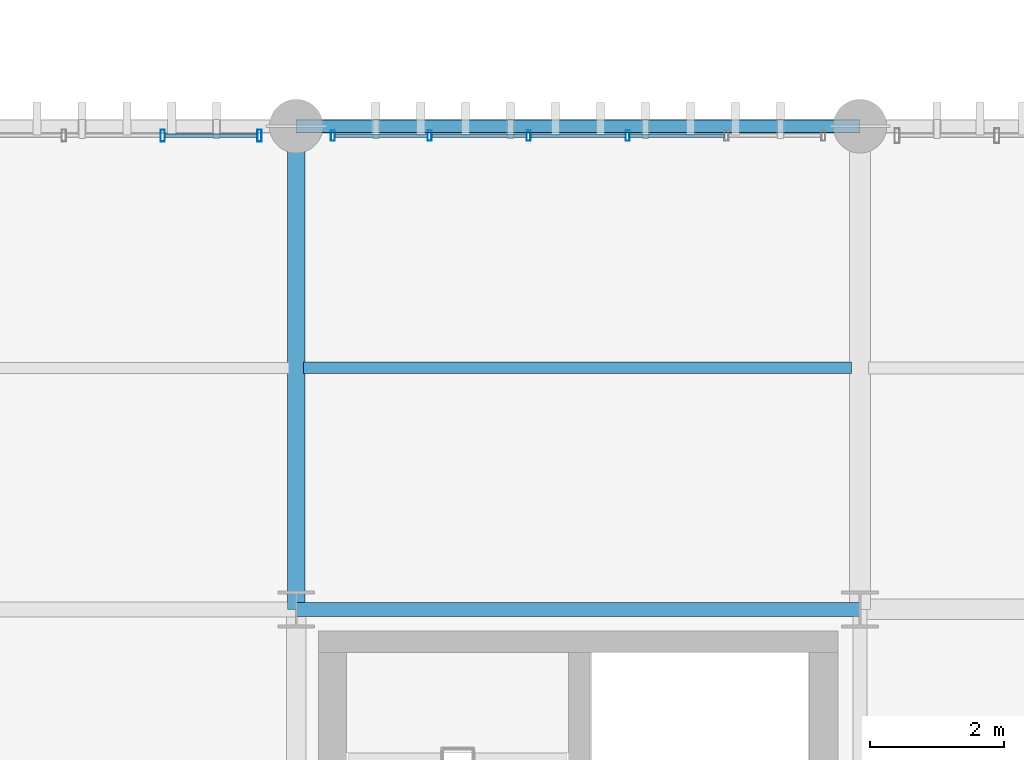
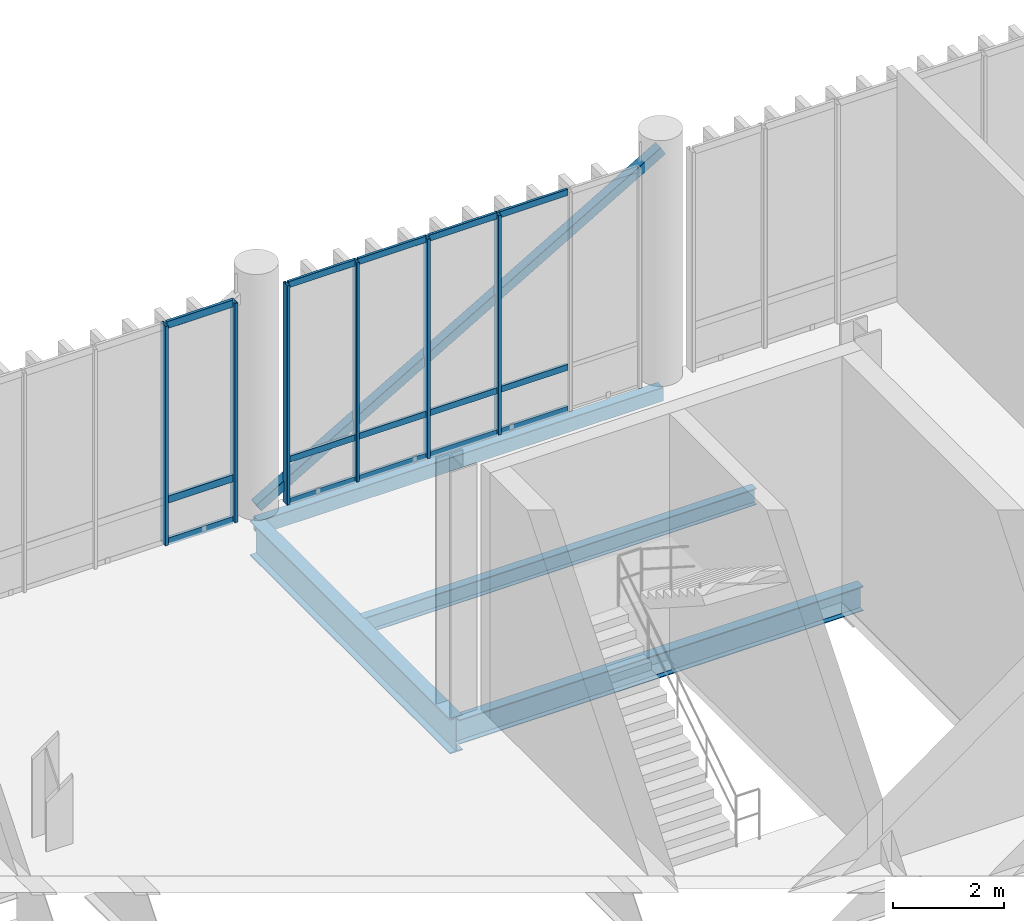
# One storey, part 67 of 128: 22 members, 4 beams, 2 elements without a shape of their own.
"""IFC4 building model written with IfcOpenShell, lengths in metres."""

from ifc_helpers import new_model, si_unit, direction, frame, origin_with_axes, origin_2d_with_axis, place, context, subcontext, project, spatial, hollow_rectangle, i_section, extrude, material, material_profile, profile_set, type_object, element, aggregate, save


model = new_model("IFC4")

# Units and contexts
model_context = context("Model", 3, precision=1e-05, world=origin_with_axes(), true_north=direction((0.0, 1.0)))
body_context = subcontext(model_context, "Body", "Model", "MODEL_VIEW")
ifc_project = project(units=[si_unit("LENGTHUNIT", "METRE"), si_unit("AREAUNIT", "SQUARE_METRE"), si_unit("VOLUMEUNIT", "CUBIC_METRE"), si_unit("PLANEANGLEUNIT", "RADIAN"), si_unit("MASSUNIT", "GRAM", prefix="KILO"), si_unit("THERMODYNAMICTEMPERATUREUNIT", "KELVIN")], contexts=[model_context])

# Site, building, storey
site_placement = place(None, origin_with_axes())
site = spatial("IfcSite", under=ifc_project, at=site_placement, CompositionType="ELEMENT")
building_placement = place(site_placement, origin_with_axes())
building = spatial("IfcBuilding", under=site, at=building_placement, Name="Montbau Bow Law Courts", CompositionType="ELEMENT")
storey_placement = place(building_placement, frame((0.0, 0.0, 5.4), z_axis=(0.0, 0.0, 1.0), x_axis=(1.0, 0.0, 0.0)))
storey = spatial("IfcBuildingStorey", under=building, at=storey_placement, Name="L01", CompositionType="ELEMENT", Elevation=5.4)

# Beams
ifc_material_1 = material(Name="Steel CSA G40.21 Grade 350W (350 MPa)", Category="steel")
ifc_material_profile_1 = material_profile(ifc_material_1, i_section(OverallWidth=0.267, OverallDepth=0.766, WebThickness=0.0149, FlangeThickness=0.0236, at=origin_2d_with_axis()), Name="W760X185", Category="Main", Priority=0)
ifc_profile_set_1 = profile_set([ifc_material_profile_1], Name="Steel CSA G40.21 Grade 350W (350 MPa)")
beam_type_1 = type_object("IfcBeamType", Name="B-FLR-03", PredefinedType="BEAM", material=ifc_profile_set_1)
beam_1_placement = place(None, frame((80.4, 54.6, 4.777), z_axis=(0.0, 1.0, 0.0), x_axis=(-1.0, 0.0, 0.0)))
element("IfcBeam", 1, at=beam_1_placement, inside=storey, type_object=beam_type_1, Name="BM-L01-S0833:bm2_0836", PredefinedType="BEAM", context=body_context, shape_type="SweptSolid", body=[
    extrude(i_section(OverallWidth=0.267, OverallDepth=0.766, WebThickness=0.0149, FlangeThickness=0.0236, at=origin_2d_with_axis()), origin_with_axes(), (0.0, 0.0, 1.0), 7.2),
])
ifc_material_profile_2 = material_profile(ifc_material_1, i_section(OverallWidth=0.21, OverallDepth=0.537, WebThickness=0.0109, FlangeThickness=0.0174, at=origin_2d_with_axis()), Name="W530X101", Category="Main", Priority=0)
ifc_profile_set_2 = profile_set([ifc_material_profile_2], Name="Steel CSA G40.21 Grade 350W (350 MPa)")
beam_type_2 = type_object("IfcBeamType", Name="B-FLR-06", PredefinedType="BEAM", material=ifc_profile_set_2)
beam_2_placement = place(None, frame((80.4, 54.6, 4.891), z_axis=(1.0, 0.0, 0.0), x_axis=(0.0, 1.0, 0.0)))
element("IfcBeam", 2, at=beam_2_placement, inside=storey, type_object=beam_type_2, Name="BM-L01-S0814:bm2_0817", PredefinedType="BEAM", context=body_context, shape_type="SweptSolid", body=[
    extrude(i_section(OverallWidth=0.21, OverallDepth=0.537, WebThickness=0.0109, FlangeThickness=0.0174, at=origin_2d_with_axis()), origin_with_axes(), (0.0, 0.0, 1.0), 8.4),
])
ifc_material_profile_3 = material_profile(ifc_material_1, i_section(OverallWidth=0.172, OverallDepth=0.358, WebThickness=0.0079, FlangeThickness=0.0131, at=origin_2d_with_axis()), Name="W360X57", Category="Main", Priority=0)
ifc_profile_set_3 = profile_set([ifc_material_profile_3], Name="Steel CSA G40.21 Grade 350W (350 MPa)")
beam_type_3 = type_object("IfcBeamType", Name="B-JST-03", PredefinedType="JOIST", material=ifc_profile_set_3)
beam_3_placement = place(None, frame((80.51, 58.2, 4.981), z_axis=(1.0, 0.0, 0.0), x_axis=(0.0, 1.0, 0.0)))
element("IfcBeam", 3, at=beam_3_placement, inside=storey, type_object=beam_type_3, Name="JST-L01-S0430:jst2_0430", PredefinedType="JOIST", context=body_context, shape_type="SweptSolid", body=[
    extrude(i_section(OverallWidth=0.172, OverallDepth=0.358, WebThickness=0.0079, FlangeThickness=0.0131, at=origin_2d_with_axis()), origin_with_axes(), (0.0, 0.0, 1.0), 8.161),
])
ifc_material_2 = material(Name="Steel CSA G40.21 Grade 350WT (350 MPa)", Category="steel")
ifc_material_profile_4 = material_profile(ifc_material_2, hollow_rectangle(XDim=0.203, YDim=0.305, WallThickness=0.0127, InnerFilletRadius=0.0254, OuterFilletRadius=0.0127, at=origin_2d_with_axis()), Name="HSS305X203X13", Category="Main", Priority=0)
ifc_profile_set_4 = profile_set([ifc_material_profile_4], Name="Steel CSA G40.21 Grade 350WT (350 MPa)")
beam_type_4 = type_object("IfcBeamType", Name="B-SPN-02", PredefinedType="SPANDREL", material=ifc_profile_set_4)
beam_4_placement = place(None, frame((80.4, 61.8, 5.008), z_axis=(1.0, 0.0, 0.0), x_axis=(0.0, 1.0, 0.0)))
element("IfcBeam", 4, at=beam_4_placement, inside=storey, type_object=beam_type_4, Name="SPN-L01-S0820:bm2_0823", PredefinedType="SPANDREL", context=body_context, shape_type="SweptSolid", body=[
    extrude(hollow_rectangle(XDim=0.203, YDim=0.305, WallThickness=0.0127, InnerFilletRadius=0.0254, OuterFilletRadius=0.0127, at=origin_2d_with_axis()), origin_with_axes(), (0.0, 0.0, 1.0), 8.4),
])

# Member
ifc_material_profile_5 = material_profile(ifc_material_1, hollow_rectangle(XDim=0.203, YDim=0.203, WallThickness=0.0111, InnerFilletRadius=0.0222, OuterFilletRadius=0.0111, at=origin_2d_with_axis()), Name="HSS203X203X11", Category="Main", Priority=0)
ifc_profile_set_5 = profile_set([ifc_material_profile_5], Name="Steel CSA G40.21 Grade 350W (350 MPa)")
member_type_1 = type_object("IfcMemberType", Name="M-BRC-02", PredefinedType="BRACE", material=ifc_profile_set_5)
member_1_placement = place(None, frame((80.4, 61.8, 5.45), z_axis=(0.86346556, 0.0, 0.504407798), x_axis=(0.0, 1.0, 0.0)))
element("IfcMember", 5, at=member_1_placement, inside=storey, type_object=member_type_1, Name="Diagonal brace CBF-L01-045A", PredefinedType="BRACE", context=body_context, shape_type="SweptSolid", body=[
    extrude(hollow_rectangle(XDim=0.203, YDim=0.203, WallThickness=0.0111, InnerFilletRadius=0.0222, OuterFilletRadius=0.0111, at=origin_2d_with_axis()), origin_with_axes(), (0.0, 0.0, 1.0), 9.72824),
])

# Curtain wall, members
ifc_material_3 = material(Name="Thermally Broken Extruded Aluminium AA 6063-T6", Category="aluminium")
curtain_wall_type = type_object("IfcCurtainWallType", Name="CW-CRM-01", PredefinedType="NOTDEFINED", material=ifc_material_3)
curtain_wall_1_placement = place(None, frame((72.515, 61.66, 5.4), z_axis=(0.0, 0.0, 1.0), x_axis=(1.0, 0.0, 0.0)))
curtain_wall_1 = element("IfcCurtainWall", 6, at=curtain_wall_1_placement, inside=storey, type_object=curtain_wall_type, Name="CW-L01-148:cw_0148", PredefinedType="NOTDEFINED")
ifc_material_profile_6 = material_profile(ifc_material_3, hollow_rectangle(XDim=0.065, YDim=0.18, WallThickness=0.005, InnerFilletRadius=0.01, OuterFilletRadius=0.005, at=origin_2d_with_axis()), Name="CWM-180X65", Category="Main", Priority=0)
ifc_profile_set_6 = profile_set([ifc_material_profile_6], Name="Thermally Broken Extruded Aluminium AA 6063-T6")
member_type_2 = type_object("IfcMemberType", Name="M-MUL-02", PredefinedType="MULLION", material=ifc_profile_set_6)
member_2_placement = place(None, frame((78.411, 61.66, 5.4), z_axis=(0.0, 0.0, 1.0), x_axis=(1.0, 0.0, 0.0)))
member_2 = element("IfcMember", 7, at=member_2_placement, type_object=member_type_2, Name="CW-L01-148-M05:cw_0148_M05", PredefinedType="MULLION", context=body_context, shape_type="SweptSolid", body=[
    extrude(hollow_rectangle(XDim=0.065, YDim=0.18, WallThickness=0.005, InnerFilletRadius=0.01, OuterFilletRadius=0.005, at=origin_2d_with_axis()), origin_with_axes(), (0.0, 0.0, 1.0), 4.82),
])
member_3_placement = place(None, frame((79.853, 61.66, 5.4), z_axis=(0.0, 0.0, 1.0), x_axis=(1.0, 0.0, 0.0)))
member_3 = element("IfcMember", 8, at=member_3_placement, type_object=member_type_2, Name="CW-L01-148-M06:cw_0148_M06", PredefinedType="MULLION", context=body_context, shape_type="SweptSolid", body=[
    extrude(hollow_rectangle(XDim=0.065, YDim=0.18, WallThickness=0.005, InnerFilletRadius=0.01, OuterFilletRadius=0.005, at=origin_2d_with_axis()), origin_with_axes(), (0.0, 0.0, 1.0), 4.82),
])

curtain_wall_2_placement = place(None, frame((80.915, 61.66, 5.4), z_axis=(0.0, 0.0, 1.0), x_axis=(1.0, 0.0, 0.0)))
curtain_wall_2 = element("IfcCurtainWall", 9, at=curtain_wall_2_placement, inside=storey, type_object=curtain_wall_type, Name="CW-L01-149:cw_0149", PredefinedType="NOTDEFINED")
ifc_material_profile_7 = material_profile(ifc_material_3, hollow_rectangle(XDim=0.06, YDim=0.16, WallThickness=0.004, InnerFilletRadius=0.008, OuterFilletRadius=0.004, at=origin_2d_with_axis()), Name="CWM-160X60", Category="Main", Priority=0)
ifc_profile_set_7 = profile_set([ifc_material_profile_7], Name="Thermally Broken Extruded Aluminium AA 6063-T6")
member_type_3 = type_object("IfcMemberType", Name="M-MUL-03", PredefinedType="MULLION", material=ifc_profile_set_7)
member_4_placement = place(None, frame((80.945, 61.66, 5.4), z_axis=(0.0, 0.0, 1.0), x_axis=(1.0, 0.0, 0.0)))
member_4 = element("IfcMember", 10, at=member_4_placement, type_object=member_type_3, Name="CW-L01-149-M01:cw_0149_M01", PredefinedType="MULLION", context=body_context, shape_type="SweptSolid", body=[
    extrude(hollow_rectangle(XDim=0.06, YDim=0.16, WallThickness=0.004, InnerFilletRadius=0.008, OuterFilletRadius=0.004, at=origin_2d_with_axis()), origin_with_axes(), (0.0, 0.0, 1.0), 4.82),
])
member_5_placement = place(None, frame((82.389, 61.66, 5.4), z_axis=(0.0, 0.0, 1.0), x_axis=(1.0, 0.0, 0.0)))
member_5 = element("IfcMember", 11, at=member_5_placement, type_object=member_type_3, Name="CW-L01-149-M02:cw_0149_M02", PredefinedType="MULLION", context=body_context, shape_type="SweptSolid", body=[
    extrude(hollow_rectangle(XDim=0.06, YDim=0.16, WallThickness=0.004, InnerFilletRadius=0.008, OuterFilletRadius=0.004, at=origin_2d_with_axis()), origin_with_axes(), (0.0, 0.0, 1.0), 4.82),
])
member_6_placement = place(None, frame((83.863, 61.66, 5.4), z_axis=(0.0, 0.0, 1.0), x_axis=(1.0, 0.0, 0.0)))
member_6 = element("IfcMember", 12, at=member_6_placement, type_object=member_type_3, Name="CW-L01-149-M03:cw_0149_M03", PredefinedType="MULLION", context=body_context, shape_type="SweptSolid", body=[
    extrude(hollow_rectangle(XDim=0.06, YDim=0.16, WallThickness=0.004, InnerFilletRadius=0.008, OuterFilletRadius=0.004, at=origin_2d_with_axis()), origin_with_axes(), (0.0, 0.0, 1.0), 4.82),
])
member_7_placement = place(None, frame((85.337, 61.66, 5.4), z_axis=(0.0, 0.0, 1.0), x_axis=(1.0, 0.0, 0.0)))
member_7 = element("IfcMember", 13, at=member_7_placement, type_object=member_type_3, Name="CW-L01-149-M04:cw_0149_M04", PredefinedType="MULLION", context=body_context, shape_type="SweptSolid", body=[
    extrude(hollow_rectangle(XDim=0.06, YDim=0.16, WallThickness=0.004, InnerFilletRadius=0.008, OuterFilletRadius=0.004, at=origin_2d_with_axis()), origin_with_axes(), (0.0, 0.0, 1.0), 4.82),
])

# Member
ifc_material_profile_8 = material_profile(ifc_material_3, hollow_rectangle(XDim=0.06, YDim=0.16, WallThickness=0.004, InnerFilletRadius=0.008, OuterFilletRadius=0.004, at=origin_2d_with_axis()), Name="CWT-160X60", Category="Main", Priority=0)
ifc_profile_set_8 = profile_set([ifc_material_profile_8], Name="Thermally Broken Extruded Aluminium AA 6063-T6")
member_type_4 = type_object("IfcMemberType", Name="M-TRN-01", PredefinedType="USERDEFINED", material=ifc_profile_set_8)
member_8_placement = place(None, frame((78.445, 61.66, 5.43), z_axis=(1.0, 0.0, 0.0), x_axis=(0.0, 1.0, 0.0)))
member_8 = element("IfcMember", 14, at=member_8_placement, type_object=member_type_4, Name="CW-L01-148-T05-1:cw_0148_T05_1", ObjectType="TRANSOM", PredefinedType="USERDEFINED", context=body_context, shape_type="SweptSolid", body=[
    extrude(hollow_rectangle(XDim=0.06, YDim=0.16, WallThickness=0.004, InnerFilletRadius=0.008, OuterFilletRadius=0.004, at=origin_2d_with_axis()), origin_with_axes(), (0.0, 0.0, 1.0), 1.374),
])

member_9_placement = place(None, frame((78.445, 61.66, 6.35), z_axis=(1.0, 0.0, 0.0), x_axis=(0.0, 1.0, 0.0)))
member_9 = element("IfcMember", 15, at=member_9_placement, type_object=member_type_4, Name="CW-L01-148-T05-2:cw_0148_T05_2", ObjectType="TRANSOM", PredefinedType="USERDEFINED", context=body_context, shape_type="SweptSolid", body=[
    extrude(hollow_rectangle(XDim=0.06, YDim=0.16, WallThickness=0.004, InnerFilletRadius=0.008, OuterFilletRadius=0.004, at=origin_2d_with_axis()), origin_with_axes(), (0.0, 0.0, 1.0), 1.374),
])

member_10_placement = place(None, frame((78.445, 61.66, 10.19), z_axis=(1.0, 0.0, 0.0), x_axis=(0.0, 1.0, 0.0)))
member_10 = element("IfcMember", 16, at=member_10_placement, type_object=member_type_4, Name="CW-L01-148-T05-3:cw_0148_T05_3", ObjectType="TRANSOM", PredefinedType="USERDEFINED", context=body_context, shape_type="SweptSolid", body=[
    extrude(hollow_rectangle(XDim=0.06, YDim=0.16, WallThickness=0.004, InnerFilletRadius=0.008, OuterFilletRadius=0.004, at=origin_2d_with_axis()), origin_with_axes(), (0.0, 0.0, 1.0), 1.374),
])

aggregate(curtain_wall_1, [member_2, member_3, member_8, member_9, member_10])

ifc_material_profile_9 = material_profile(ifc_material_3, hollow_rectangle(XDim=0.055, YDim=0.14, WallThickness=0.004, InnerFilletRadius=0.008, OuterFilletRadius=0.004, at=origin_2d_with_axis()), Name="CWT-140X55", Category="Main", Priority=0)
ifc_profile_set_9 = profile_set([ifc_material_profile_9], Name="Thermally Broken Extruded Aluminium AA 6063-T6")
member_type_5 = type_object("IfcMemberType", Name="M-TRN-02", PredefinedType="USERDEFINED", material=ifc_profile_set_9)
member_11_placement = place(None, frame((80.977, 61.66, 5.428), z_axis=(1.0, 0.0, 0.0), x_axis=(0.0, 1.0, 0.0)))
member_11 = element("IfcMember", 17, at=member_11_placement, type_object=member_type_5, Name="CW-L01-149-T01-1:cw_0149_T01_1", ObjectType="TRANSOM", PredefinedType="USERDEFINED", context=body_context, shape_type="SweptSolid", body=[
    extrude(hollow_rectangle(XDim=0.055, YDim=0.14, WallThickness=0.004, InnerFilletRadius=0.008, OuterFilletRadius=0.004, at=origin_2d_with_axis()), origin_with_axes(), (0.0, 0.0, 1.0), 1.38),
])

member_12_placement = place(None, frame((80.977, 61.66, 6.35), z_axis=(1.0, 0.0, 0.0), x_axis=(0.0, 1.0, 0.0)))
member_12 = element("IfcMember", 18, at=member_12_placement, type_object=member_type_5, Name="CW-L01-149-T01-2:cw_0149_T01_2", ObjectType="TRANSOM", PredefinedType="USERDEFINED", context=body_context, shape_type="SweptSolid", body=[
    extrude(hollow_rectangle(XDim=0.055, YDim=0.14, WallThickness=0.004, InnerFilletRadius=0.008, OuterFilletRadius=0.004, at=origin_2d_with_axis()), origin_with_axes(), (0.0, 0.0, 1.0), 1.38),
])

member_13_placement = place(None, frame((80.977, 61.66, 10.193), z_axis=(1.0, 0.0, 0.0), x_axis=(0.0, 1.0, 0.0)))
member_13 = element("IfcMember", 19, at=member_13_placement, type_object=member_type_5, Name="CW-L01-149-T01-3:cw_0149_T01_3", ObjectType="TRANSOM", PredefinedType="USERDEFINED", context=body_context, shape_type="SweptSolid", body=[
    extrude(hollow_rectangle(XDim=0.055, YDim=0.14, WallThickness=0.004, InnerFilletRadius=0.008, OuterFilletRadius=0.004, at=origin_2d_with_axis()), origin_with_axes(), (0.0, 0.0, 1.0), 1.38),
])

member_14_placement = place(None, frame((82.421, 61.66, 5.428), z_axis=(1.0, 0.0, 0.0), x_axis=(0.0, 1.0, 0.0)))
member_14 = element("IfcMember", 20, at=member_14_placement, type_object=member_type_5, Name="CW-L01-149-T02-1:cw_0149_T02_1", ObjectType="TRANSOM", PredefinedType="USERDEFINED", context=body_context, shape_type="SweptSolid", body=[
    extrude(hollow_rectangle(XDim=0.055, YDim=0.14, WallThickness=0.004, InnerFilletRadius=0.008, OuterFilletRadius=0.004, at=origin_2d_with_axis()), origin_with_axes(), (0.0, 0.0, 1.0), 1.41),
])

member_15_placement = place(None, frame((82.421, 61.66, 6.35), z_axis=(1.0, 0.0, 0.0), x_axis=(0.0, 1.0, 0.0)))
member_15 = element("IfcMember", 21, at=member_15_placement, type_object=member_type_5, Name="CW-L01-149-T02-2:cw_0149_T02_2", ObjectType="TRANSOM", PredefinedType="USERDEFINED", context=body_context, shape_type="SweptSolid", body=[
    extrude(hollow_rectangle(XDim=0.055, YDim=0.14, WallThickness=0.004, InnerFilletRadius=0.008, OuterFilletRadius=0.004, at=origin_2d_with_axis()), origin_with_axes(), (0.0, 0.0, 1.0), 1.41),
])

member_16_placement = place(None, frame((82.421, 61.66, 10.193), z_axis=(1.0, 0.0, 0.0), x_axis=(0.0, 1.0, 0.0)))
member_16 = element("IfcMember", 22, at=member_16_placement, type_object=member_type_5, Name="CW-L01-149-T02-3:cw_0149_T02_3", ObjectType="TRANSOM", PredefinedType="USERDEFINED", context=body_context, shape_type="SweptSolid", body=[
    extrude(hollow_rectangle(XDim=0.055, YDim=0.14, WallThickness=0.004, InnerFilletRadius=0.008, OuterFilletRadius=0.004, at=origin_2d_with_axis()), origin_with_axes(), (0.0, 0.0, 1.0), 1.41),
])

member_17_placement = place(None, frame((83.895, 61.66, 5.428), z_axis=(1.0, 0.0, 0.0), x_axis=(0.0, 1.0, 0.0)))
member_17 = element("IfcMember", 23, at=member_17_placement, type_object=member_type_5, Name="CW-L01-149-T03-1:cw_0149_T03_1", ObjectType="TRANSOM", PredefinedType="USERDEFINED", context=body_context, shape_type="SweptSolid", body=[
    extrude(hollow_rectangle(XDim=0.055, YDim=0.14, WallThickness=0.004, InnerFilletRadius=0.008, OuterFilletRadius=0.004, at=origin_2d_with_axis()), origin_with_axes(), (0.0, 0.0, 1.0), 1.41),
])

member_18_placement = place(None, frame((83.895, 61.66, 6.35), z_axis=(1.0, 0.0, 0.0), x_axis=(0.0, 1.0, 0.0)))
member_18 = element("IfcMember", 24, at=member_18_placement, type_object=member_type_5, Name="CW-L01-149-T03-2:cw_0149_T03_2", ObjectType="TRANSOM", PredefinedType="USERDEFINED", context=body_context, shape_type="SweptSolid", body=[
    extrude(hollow_rectangle(XDim=0.055, YDim=0.14, WallThickness=0.004, InnerFilletRadius=0.008, OuterFilletRadius=0.004, at=origin_2d_with_axis()), origin_with_axes(), (0.0, 0.0, 1.0), 1.41),
])

member_19_placement = place(None, frame((83.895, 61.66, 10.193), z_axis=(1.0, 0.0, 0.0), x_axis=(0.0, 1.0, 0.0)))
member_19 = element("IfcMember", 25, at=member_19_placement, type_object=member_type_5, Name="CW-L01-149-T03-3:cw_0149_T03_3", ObjectType="TRANSOM", PredefinedType="USERDEFINED", context=body_context, shape_type="SweptSolid", body=[
    extrude(hollow_rectangle(XDim=0.055, YDim=0.14, WallThickness=0.004, InnerFilletRadius=0.008, OuterFilletRadius=0.004, at=origin_2d_with_axis()), origin_with_axes(), (0.0, 0.0, 1.0), 1.41),
])

member_20_placement = place(None, frame((85.369, 61.66, 5.428), z_axis=(1.0, 0.0, 0.0), x_axis=(0.0, 1.0, 0.0)))
member_20 = element("IfcMember", 26, at=member_20_placement, type_object=member_type_5, Name="CW-L01-149-T04-1:cw_0149_T04_1", ObjectType="TRANSOM", PredefinedType="USERDEFINED", context=body_context, shape_type="SweptSolid", body=[
    extrude(hollow_rectangle(XDim=0.055, YDim=0.14, WallThickness=0.004, InnerFilletRadius=0.008, OuterFilletRadius=0.004, at=origin_2d_with_axis()), origin_with_axes(), (0.0, 0.0, 1.0), 1.41),
])

member_21_placement = place(None, frame((85.369, 61.66, 6.35), z_axis=(1.0, 0.0, 0.0), x_axis=(0.0, 1.0, 0.0)))
member_21 = element("IfcMember", 27, at=member_21_placement, type_object=member_type_5, Name="CW-L01-149-T04-2:cw_0149_T04_2", ObjectType="TRANSOM", PredefinedType="USERDEFINED", context=body_context, shape_type="SweptSolid", body=[
    extrude(hollow_rectangle(XDim=0.055, YDim=0.14, WallThickness=0.004, InnerFilletRadius=0.008, OuterFilletRadius=0.004, at=origin_2d_with_axis()), origin_with_axes(), (0.0, 0.0, 1.0), 1.41),
])

member_22_placement = place(None, frame((85.369, 61.66, 10.193), z_axis=(1.0, 0.0, 0.0), x_axis=(0.0, 1.0, 0.0)))
member_22 = element("IfcMember", 28, at=member_22_placement, type_object=member_type_5, Name="CW-L01-149-T04-3:cw_0149_T04_3", ObjectType="TRANSOM", PredefinedType="USERDEFINED", context=body_context, shape_type="SweptSolid", body=[
    extrude(hollow_rectangle(XDim=0.055, YDim=0.14, WallThickness=0.004, InnerFilletRadius=0.008, OuterFilletRadius=0.004, at=origin_2d_with_axis()), origin_with_axes(), (0.0, 0.0, 1.0), 1.41),
])

aggregate(curtain_wall_2, [member_4, member_5, member_6, member_7, member_11, member_12, member_13, member_14, member_15, member_16, member_17, member_18, member_19, member_20, member_21, member_22])

save(model, "model.ifc")
